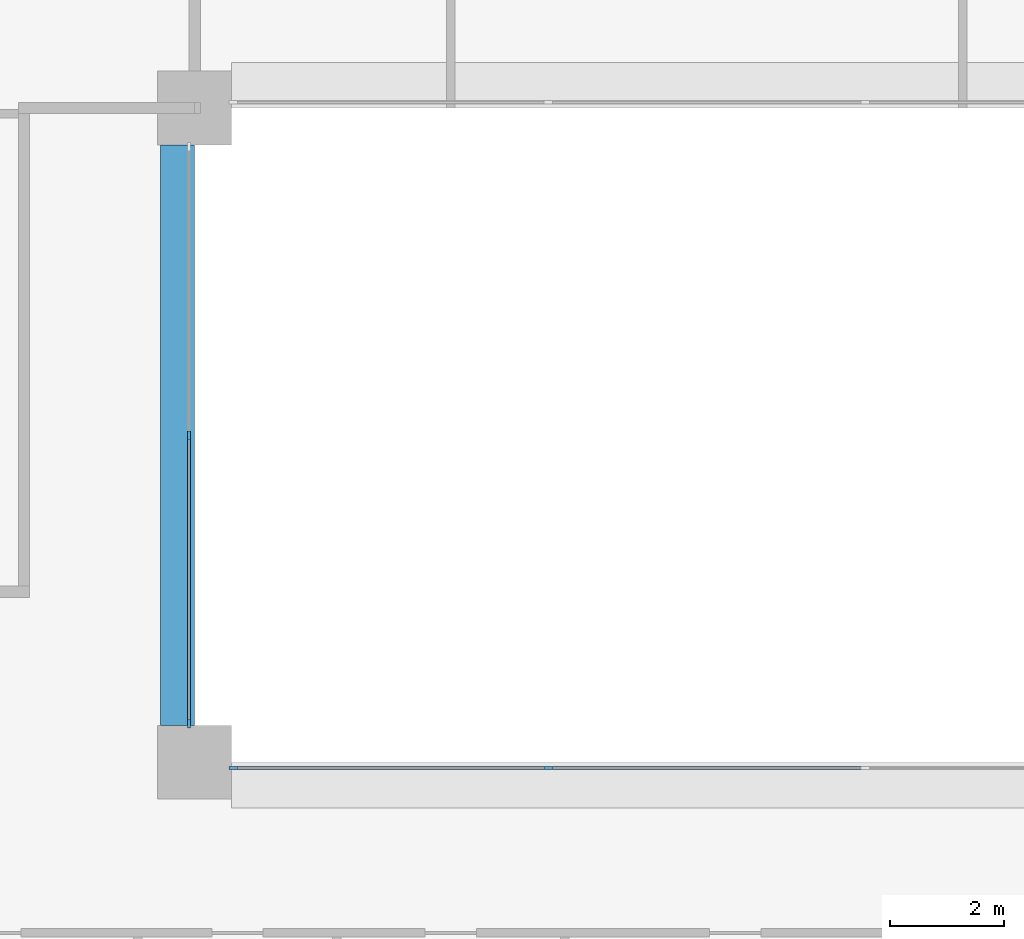
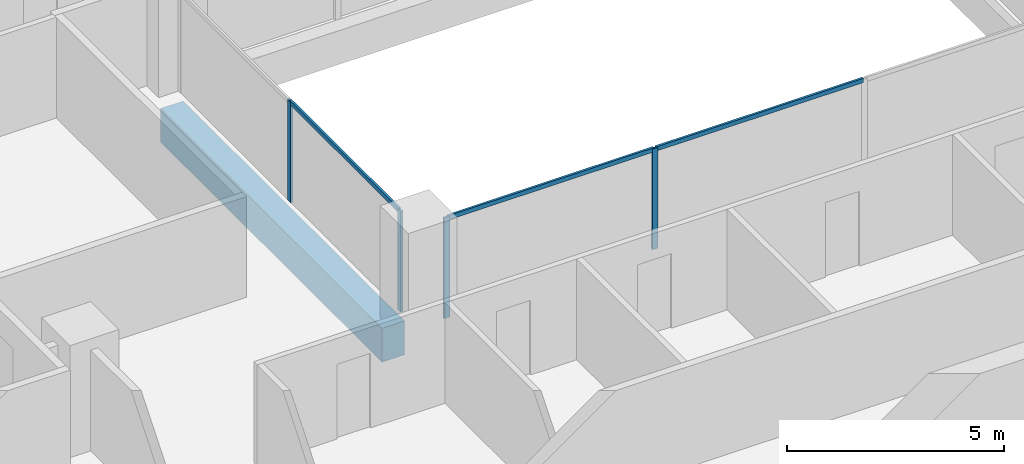
# One storey, part 2 of 16: 7 members, 1 beam, 2 elements without a shape of their own.
"""IFC4 building model written with IfcOpenShell, lengths in metres."""

from ifc_helpers import new_model, si_unit, direction, frame, origin, origin_2d, place, context, subcontext, project, spatial, rectangle, extrude, material, layer, layer_set, material_profile, profile_set, type_object, element, aggregate, save


model = new_model("IFC4")

# Units and contexts
model_context = context("Model", 3, precision=1e-05, world=origin(), true_north=direction((0.0, 1.0)))
body_context = subcontext(model_context, "Body", "Model", "MODEL_VIEW")
ifc_project = project(units=[si_unit("LENGTHUNIT", "METRE"), si_unit("AREAUNIT", "SQUARE_METRE"), si_unit("VOLUMEUNIT", "CUBIC_METRE"), si_unit("PLANEANGLEUNIT", "RADIAN"), si_unit("MASSUNIT", "GRAM", prefix="KILO")], contexts=[model_context])

# Site, building, storey
site_placement = place(None, origin())
site = spatial("IfcSite", under=ifc_project, at=site_placement, CompositionType="ELEMENT")
building_placement = place(site_placement, origin())
building = spatial("IfcBuilding", under=site, at=building_placement, Name="Brigalow Station Residences", CompositionType="ELEMENT")
storey_placement = place(building_placement, frame((0.0, 0.0, 99.300048828125)))
storey = spatial("IfcBuildingStorey", under=building, at=storey_placement, Name="L28", CompositionType="ELEMENT", Elevation=99.300048828125)

# Beam
ifc_material_1 = material(Name="Concrete C65", Category="concrete")
ifc_material_profile_1 = material_profile(ifc_material_1, rectangle(XDim=0.60009765625, YDim=0.949951171875, at=origin_2d()), Name="RC600x950")
ifc_profile_set_1 = profile_set([ifc_material_profile_1], Name="Concrete C65")
beam_type = type_object("IfcBeamType", Name="ATRIUM EDGE GIRDER 600x950 C65", PredefinedType="BEAM", material=ifc_profile_set_1)
beam_placement = place(storey_placement, frame((26.699951171875, 24.64990234375, -0.795166015625), z_axis=(0.0, 1.0, 0.0), x_axis=(-1.0, 0.0, 0.0)))
element("IfcBeam", 1, at=beam_placement, inside=storey, type_object=beam_type, Name="ATRIUM EDGE GIRDER 3 L28", PredefinedType="BEAM", context=body_context, shape_type="SweptSolid", body=[
    extrude(rectangle(XDim=0.60009765625, YDim=0.949951171875, at=origin_2d()), origin(), (0.0, 0.0, 1.0), 10.2001953125),
])

# Curtain wall, members
ifc_material_2 = material(Name="Aluminium", Category="aluminium")
ifc_layer = layer(ifc_material_2, 0.14990234375)
ifc_layer_set = layer_set([ifc_layer], Name="ATRIUM FIRE-RATED GLAZING CURTAIN WALL")
curtain_wall_type = type_object("IfcCurtainWallType", Name="ATRIUM FIRE-RATED GLAZING CURTAIN WALL", PredefinedType="NOTDEFINED", material=ifc_layer_set)
curtain_wall_1_placement = place(storey_placement, origin())
curtain_wall_1 = element("IfcCurtainWall", 2, at=curtain_wall_1_placement, inside=storey, type_object=curtain_wall_type, Name="L28/cw/atrium-S", PredefinedType="NOTDEFINED")
ifc_material_3 = material(Name="Aluminium", Category="aluminium")
ifc_material_profile_2 = material_profile(ifc_material_3, rectangle(XDim=0.06005859375, YDim=0.14990234375, at=origin_2d()), Name="ATRIUM FIRE-RATED GLAZING MULLION 60x150")
ifc_profile_set_2 = profile_set([ifc_material_profile_2], Name="Aluminium")
member_type_1 = type_object("IfcMemberType", Name="ATRIUM FIRE-RATED GLAZING MULLION 60x150", PredefinedType="MULLION", material=ifc_profile_set_2)
member_1_placement = place(storey_placement, frame((27.679931640625, 23.89990234375, 0.0), z_axis=(0.0, 0.0, 1.0), x_axis=(0.0, 1.0, 0.0)))
member_1 = element("IfcMember", 3, at=member_1_placement, type_object=member_type_1, Name="L28/cw/atrium-S/M00", PredefinedType="MULLION", context=body_context, shape_type="SweptSolid", body=[
    extrude(rectangle(XDim=0.06005859375, YDim=0.14990234375, at=origin_2d()), origin(), (0.0, 0.0, 1.0), 2.829833984375),
])
member_2_placement = place(storey_placement, frame((33.216796875, 23.89990234375, 0.0), z_axis=(0.0, 0.0, 1.0), x_axis=(0.0, 1.0, 0.0)))
member_2 = element("IfcMember", 4, at=member_2_placement, type_object=member_type_1, Name="L28/cw/atrium-S/M01", PredefinedType="MULLION", context=body_context, shape_type="SweptSolid", body=[
    extrude(rectangle(XDim=0.06005859375, YDim=0.14990234375, at=origin_2d()), origin(), (0.0, 0.0, 1.0), 2.829833984375),
])

curtain_wall_2_placement = place(storey_placement, origin())
curtain_wall_2 = element("IfcCurtainWall", 5, at=curtain_wall_2_placement, inside=storey, type_object=curtain_wall_type, Name="L28/cw/atrium-W", PredefinedType="NOTDEFINED")
member_3_placement = place(storey_placement, frame((26.89990234375, 29.75, 0.0), z_axis=(0.0, 0.0, 1.0), x_axis=(1.0, 0.0, 0.0)))
member_3 = element("IfcMember", 6, at=member_3_placement, type_object=member_type_1, Name="L28/cw/atrium-W/M01", PredefinedType="MULLION", context=body_context, shape_type="SweptSolid", body=[
    extrude(rectangle(XDim=0.06005859375, YDim=0.14990234375, at=origin_2d()), origin(), (0.0, 0.0, 1.0), 2.829833984375),
])
member_4_placement = place(storey_placement, frame((26.89990234375, 24.679931640625, 0.0), z_axis=(0.0, 0.0, 1.0), x_axis=(1.0, 0.0, 0.0)))
member_4 = element("IfcMember", 7, at=member_4_placement, type_object=member_type_1, Name="L28/cw/atrium-W/M02", PredefinedType="MULLION", context=body_context, shape_type="SweptSolid", body=[
    extrude(rectangle(XDim=0.06005859375, YDim=0.14990234375, at=origin_2d()), origin(), (0.0, 0.0, 1.0), 2.829833984375),
])

# Member
ifc_material_4 = material(Name="Aluminium", Category="aluminium")
ifc_material_profile_3 = material_profile(ifc_material_4, rectangle(XDim=0.06005859375, YDim=0.1201171875, at=origin_2d()), Name="ATRIUM FIRE-RATED GLAZING TRANSOM 60x120")
ifc_profile_set_3 = profile_set([ifc_material_profile_3], Name="Aluminium")
member_type_2 = type_object("IfcMemberType", Name="ATRIUM FIRE-RATED GLAZING TRANSOM 60x120", PredefinedType="USERDEFINED", material=ifc_profile_set_3)
member_5_placement = place(storey_placement, frame((27.7099609375, 23.89990234375, 2.800048828125), z_axis=(1.0, 0.0, 0.0), x_axis=(0.0, 1.0, 0.0)))
member_5 = element("IfcMember", 8, at=member_5_placement, type_object=member_type_2, Name="L28/cw/atrium-S/T00-00", ObjectType="TRANSOM", PredefinedType="USERDEFINED", context=body_context, shape_type="SweptSolid", body=[
    extrude(rectangle(XDim=0.06005859375, YDim=0.1201171875, at=origin_2d()), origin(), (0.0, 0.0, 1.0), 5.476806640625),
])

member_6_placement = place(storey_placement, frame((33.24658203125, 23.89990234375, 2.800048828125), z_axis=(1.0, 0.0, 0.0), x_axis=(0.0, 1.0, 0.0)))
member_6 = element("IfcMember", 9, at=member_6_placement, type_object=member_type_2, Name="L28/cw/atrium-S/T01-00", ObjectType="TRANSOM", PredefinedType="USERDEFINED", context=body_context, shape_type="SweptSolid", body=[
    extrude(rectangle(XDim=0.06005859375, YDim=0.1201171875, at=origin_2d()), origin(), (0.0, 0.0, 1.0), 5.5068359375),
])

aggregate(curtain_wall_1, [member_1, member_2, member_5, member_6])

member_7_placement = place(storey_placement, frame((26.89990234375, 29.719970703125, 2.800048828125), z_axis=(0.0, -1.0, 0.0), x_axis=(1.0, 0.0, 0.0)))
member_7 = element("IfcMember", 10, at=member_7_placement, type_object=member_type_2, Name="L28/cw/atrium-W/T01-00", ObjectType="TRANSOM", PredefinedType="USERDEFINED", context=body_context, shape_type="SweptSolid", body=[
    extrude(rectangle(XDim=0.06005859375, YDim=0.1201171875, at=origin_2d()), origin(), (0.0, 0.0, 1.0), 5.010009765625),
])

aggregate(curtain_wall_2, [member_3, member_4, member_7])

save(model, "model.ifc")
